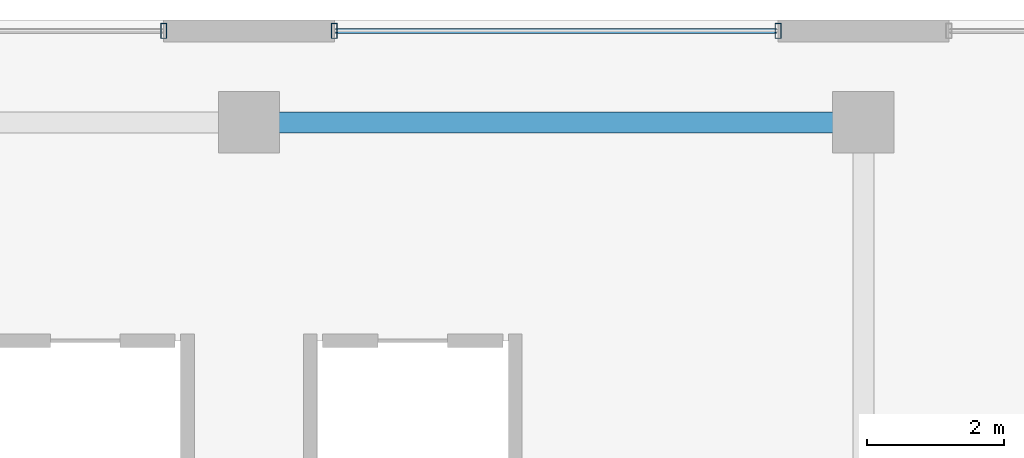
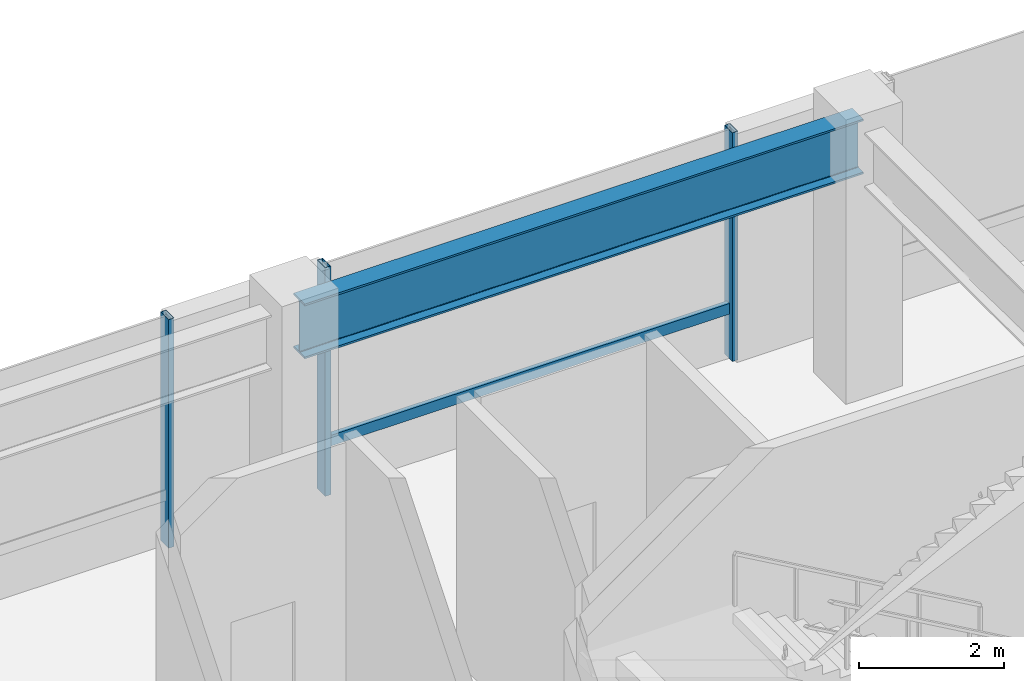
# One storey, part 6 of 22: 4 members, 1 beam, 2 elements without a shape of their own.
"""IFC4 building model written with IfcOpenShell, lengths in metres."""

from ifc_helpers import new_model, si_unit, direction, frame, origin, origin_2d, place, context, subcontext, project, spatial, hollow_rectangle, i_section, extrude, material, material_profile, profile_set, type_object, element, aggregate, save


model = new_model("IFC4")

# Units and contexts
model_context = context("Model", 3, precision=1e-05, world=origin(), true_north=direction((0.0, 1.0)))
body_context = subcontext(model_context, "Body", "Model", "MODEL_VIEW")
ifc_project = project(units=[si_unit("LENGTHUNIT", "METRE"), si_unit("AREAUNIT", "SQUARE_METRE"), si_unit("VOLUMEUNIT", "CUBIC_METRE"), si_unit("PLANEANGLEUNIT", "RADIAN"), si_unit("MASSUNIT", "GRAM", prefix="KILO")], contexts=[model_context])

# Site, building, storey
site_placement = place(None, origin())
site = spatial("IfcSite", under=ifc_project, at=site_placement, CompositionType="ELEMENT")
building_placement = place(site_placement, origin())
building = spatial("IfcBuilding", under=site, at=building_placement, Name="Thornwick Lancets Civic Towers", CompositionType="ELEMENT")
storey_placement = place(building_placement, frame((0.0, 0.0, 4.800048828125)))
storey = spatial("IfcBuildingStorey", under=building, at=storey_placement, Name="L01", CompositionType="ELEMENT", Elevation=4.800048828125)

# Beam
ifc_material_1 = material(Name="Steel S355JR", Category="steel")
ifc_material_profile_1 = material_profile(ifc_material_1, i_section(OverallWidth=0.3076171875, OverallDepth=0.926513671875, WebThickness=0.01953125, FlangeThickness=0.031982421875, FilletRadius=0.01904296875, at=origin_2d()), Name="UKB 914x305x289")
ifc_profile_set_1 = profile_set([ifc_material_profile_1], Name="Steel S355JR")
beam_type = type_object("IfcBeamType", Name="BM_POD_914_289", PredefinedType="BEAM", material=ifc_profile_set_1)
beam_placement = place(storey_placement, frame((57.080078125, 48.0, 4.0166015625), z_axis=(1.0, 0.0, 0.0), x_axis=(0.0, 1.0, 0.0)))
element("IfcBeam", 1, at=beam_placement, inside=storey, type_object=beam_type, Name="BM-PODG-L01-12-13", PredefinedType="BEAM", context=body_context, shape_type="SweptSolid", body=[
    extrude(i_section(OverallWidth=0.3076171875, OverallDepth=0.926513671875, WebThickness=0.01953125, FlangeThickness=0.031982421875, FilletRadius=0.01904296875, at=origin_2d()), origin(), (0.0, 0.0, 1.0), 8.919921875),
])

# Curtain wall, members
ifc_material_2 = material(Name="Bronze aluminium Gothic lancet podium curtain wall", Category="aluminium")
curtain_wall_type = type_object("IfcCurtainWallType", Name="CW_SYS_01", PredefinedType="NOTDEFINED", material=ifc_material_2)
curtain_wall_1_placement = place(storey_placement, origin())
curtain_wall_1 = element("IfcCurtainWall", 2, at=curtain_wall_1_placement, inside=storey, type_object=curtain_wall_type, Name="L01 Curtain Wall CW-L01-POD-NC-S2", PredefinedType="NOTDEFINED")
ifc_material_3 = material(Name="Thermally broken bronze aluminium S355", Category="steel")
ifc_material_profile_2 = material_profile(ifc_material_3, hollow_rectangle(XDim=0.090087890625, YDim=0.219970703125, WallThickness=0.00634765625, at=origin_2d()), Name="RHS 220x90x6.3")
ifc_profile_set_2 = profile_set([ifc_material_profile_2], Name="Thermally broken bronze aluminium S355")
member_type_1 = type_object("IfcMemberType", Name="CW_MUL_220", PredefinedType="MULLION", material=ifc_profile_set_2)
member_1_placement = place(storey_placement, frame((64.75, 49.340087890625, 0.0), z_axis=(0.0, 0.0, 1.0), x_axis=(1.0, 0.0, 0.0)))
member_1 = element("IfcMember", 3, at=member_1_placement, type_object=member_type_1, Name="CW-L01-POD-NC-S2 Mullion 0", PredefinedType="MULLION", context=body_context, shape_type="SweptSolid", body=[
    extrude(hollow_rectangle(XDim=0.090087890625, YDim=0.219970703125, WallThickness=0.00634765625, at=origin_2d()), origin(), (0.0, 0.0, 1.0), 3.85986328125),
])
member_2_placement = place(storey_placement, frame((58.25, 49.340087890625, 0.0), z_axis=(0.0, 0.0, 1.0), x_axis=(1.0, 0.0, 0.0)))
member_2 = element("IfcMember", 4, at=member_2_placement, type_object=member_type_1, Name="CW-L01-POD-NC-S2 Mullion 1", PredefinedType="MULLION", context=body_context, shape_type="SweptSolid", body=[
    extrude(hollow_rectangle(XDim=0.090087890625, YDim=0.219970703125, WallThickness=0.00634765625, at=origin_2d()), origin(), (0.0, 0.0, 1.0), 3.85986328125),
])

# Curtain wall, member
curtain_wall_2_placement = place(storey_placement, origin())
curtain_wall_2 = element("IfcCurtainWall", 5, at=curtain_wall_2_placement, inside=storey, type_object=curtain_wall_type, Name="L01 Curtain Wall CW-L01-POD-NC-S3", PredefinedType="NOTDEFINED")
member_3_placement = place(storey_placement, frame((55.75, 49.340087890625, 0.0), z_axis=(0.0, 0.0, 1.0), x_axis=(1.0, 0.0, 0.0)))
member_3 = element("IfcMember", 6, at=member_3_placement, type_object=member_type_1, Name="CW-L01-POD-NC-S3 Mullion 0", PredefinedType="MULLION", context=body_context, shape_type="SweptSolid", body=[
    extrude(hollow_rectangle(XDim=0.090087890625, YDim=0.219970703125, WallThickness=0.00634765625, at=origin_2d()), origin(), (0.0, 0.0, 1.0), 3.85986328125),
])
aggregate(curtain_wall_2, [member_3])

# Member
ifc_material_profile_3 = material_profile(ifc_material_3, hollow_rectangle(XDim=0.074951171875, YDim=0.179931640625, WallThickness=0.006103515625, at=origin_2d()), Name="RHS 180x75x6")
ifc_profile_set_3 = profile_set([ifc_material_profile_3], Name="Thermally broken bronze aluminium S355")
member_type_2 = type_object("IfcMemberType", Name="CW_TRN_180", PredefinedType="USERDEFINED", material=ifc_profile_set_3)
member_4_placement = place(storey_placement, frame((64.72998046875, 49.340087890625, 0.849853515625), z_axis=(-1.0, 0.0, 0.0), x_axis=(0.0, -1.0, 0.0)))
member_4 = element("IfcMember", 7, at=member_4_placement, type_object=member_type_2, Name="CW-L01-POD-NC-S2 Transom 0", ObjectType="TRANSOM", PredefinedType="USERDEFINED", context=body_context, shape_type="SweptSolid", body=[
    extrude(hollow_rectangle(XDim=0.074951171875, YDim=0.179931640625, WallThickness=0.006103515625, at=origin_2d()), origin(), (0.0, 0.0, 1.0), 6.4599609375),
])

aggregate(curtain_wall_1, [member_1, member_2, member_4])

save(model, "model.ifc")
